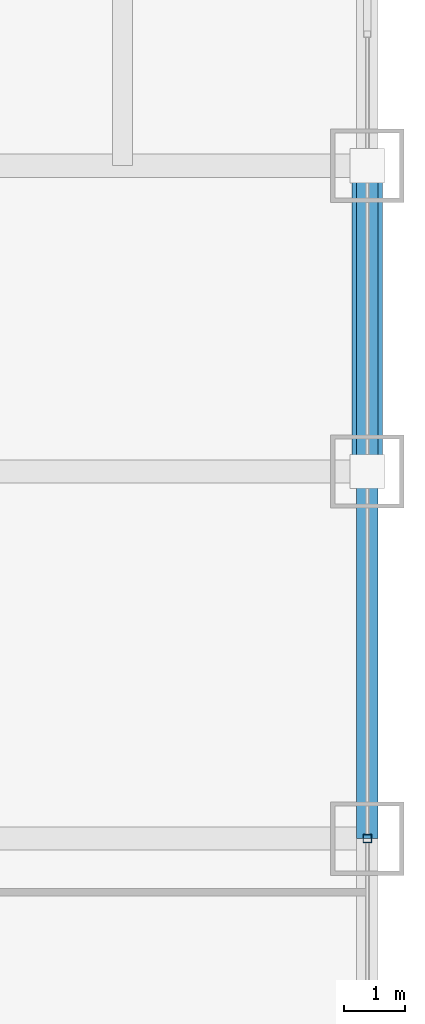
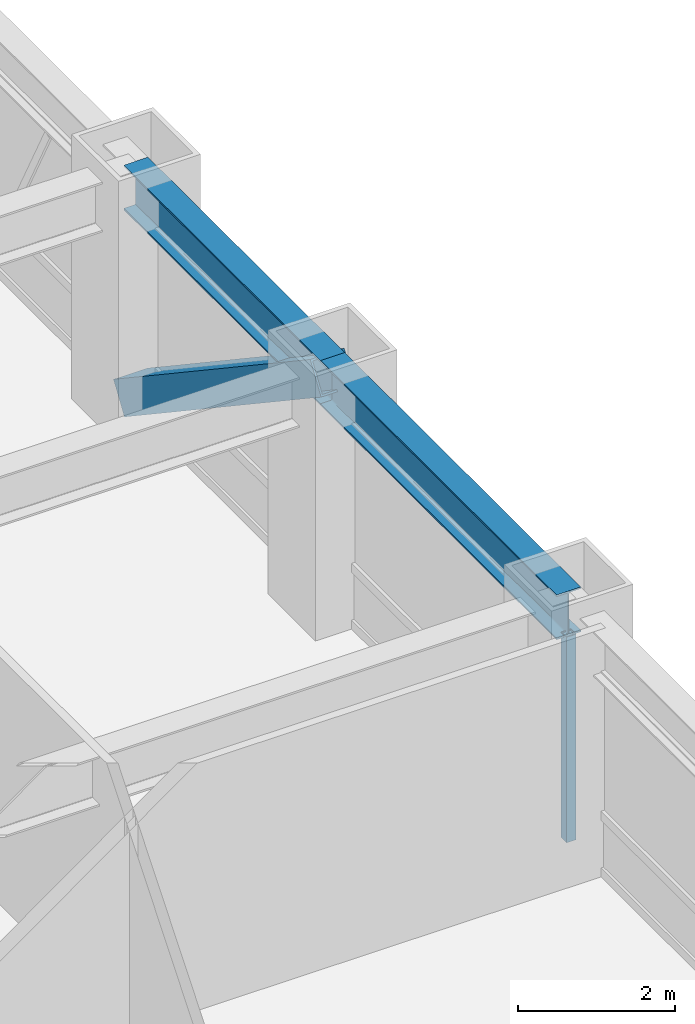
# One storey, part 14 of 28: 2 beams, 2 members, 1 element without a shape of its own.
"""IFC4 building model written with IfcOpenShell, lengths in metres."""

from ifc_helpers import new_model, si_unit, direction, frame, origin, origin_2d, place, context, subcontext, project, spatial, hollow_rectangle, i_section, extrude, source, transform, mapped, material, material_profile, profile_set, type_object, element, aggregate, save


model = new_model("IFC4")

# Units and contexts
model_context = context("Model", 3, precision=1e-05, world=origin(), true_north=direction((0.0, 1.0)))
body_context = subcontext(model_context, "Body", "Model", "MODEL_VIEW")
ifc_project = project(units=[si_unit("LENGTHUNIT", "METRE"), si_unit("AREAUNIT", "SQUARE_METRE"), si_unit("VOLUMEUNIT", "CUBIC_METRE"), si_unit("PLANEANGLEUNIT", "RADIAN"), si_unit("MASSUNIT", "GRAM", prefix="KILO")], contexts=[model_context])

# Site, building, storey
site_placement = place(None, origin())
site = spatial("IfcSite", under=ifc_project, at=site_placement, CompositionType="ELEMENT")
building_placement = place(site_placement, origin())
building = spatial("IfcBuilding", under=site, at=building_placement, Name="Khorayat Bourse Tower", CompositionType="ELEMENT")
storey_placement = place(building_placement, frame((0.0, 0.0, 116.0)))
storey = spatial("IfcBuildingStorey", under=building, at=storey_placement, Name="L26", CompositionType="ELEMENT", Elevation=116.0)

# Beams
ifc_material_1 = material(Name="Steel ASTM A992 Grade 50", Category="steel")
ifc_material_profile_1 = material_profile(ifc_material_1, i_section(OverallWidth=0.35498046875, OverallDepth=0.695068359375, WebThickness=0.015380859375, FlangeThickness=0.02490234375, FilletRadius=0.01806640625, at=origin_2d()), Name="W690X217")
ifc_profile_set_1 = profile_set([ifc_material_profile_1], Name="Steel ASTM A992 Grade 50")
beam_type = type_object("IfcBeamType", Name="BM-SPAN-690", PredefinedType="SPANDREL", material=ifc_profile_set_1)
shared_shape_1 = source(origin(), body_context, "Body", "SweptSolid", [
    extrude(i_section(OverallWidth=0.35498046875, OverallDepth=0.695068359375, WebThickness=0.015380859375, FlangeThickness=0.02490234375, FilletRadius=0.01806640625, at=origin_2d()), origin(), (0.0, 0.0, 1.0), 5.0),
])
beam_1_placement = place(storey_placement, frame((32.0, 6.0, 3.492431640625), z_axis=(0.0, 1.0, 0.0), x_axis=(-1.0, 0.0, 0.0)))
element("IfcBeam", 1, at=beam_1_placement, inside=storey, type_object=beam_type, Name="L26 BM-SPAN-690 BM-L26-SPN-039", PredefinedType="SPANDREL", context=body_context, shape_type="MappedRepresentation", body=[
    mapped(shared_shape_1, transform((0.0, 0.0, 0.0), scale=1.0)),
])
shared_shape_2 = source(origin(), body_context, "Body", "SweptSolid", [
    extrude(i_section(OverallWidth=0.35498046875, OverallDepth=0.695068359375, WebThickness=0.015380859375, FlangeThickness=0.02490234375, FilletRadius=0.01806640625, at=origin_2d()), origin(), (0.0, 0.0, 1.0), 6.0),
])
beam_2_placement = place(storey_placement, frame((32.0, 0.0, 3.492431640625), z_axis=(0.0, 1.0, 0.0), x_axis=(-1.0, 0.0, 0.0)))
element("IfcBeam", 2, at=beam_2_placement, inside=storey, type_object=beam_type, Name="L26 BM-SPAN-690 BM-L26-SPN-038", PredefinedType="SPANDREL", context=body_context, shape_type="MappedRepresentation", body=[
    mapped(shared_shape_2, transform((0.0, 0.0, 0.0), scale=1.0)),
])

# Member
ifc_material_2 = material(Name="Steel EN 10025-4 S460M", Category="steel")
ifc_material_profile_2 = material_profile(ifc_material_2, hollow_rectangle(XDim=0.5, YDim=0.5, WallThickness=0.028076171875, at=origin_2d()), Name="HSS 500x500x28")
ifc_profile_set_2 = profile_set([ifc_material_profile_2], Name="Steel EN 10025-4 S460M")
member_type_1 = type_object("IfcMemberType", Name="MBR-TUBE-500", PredefinedType="BRACE", material=ifc_profile_set_2)
shared_shape_3 = source(origin(), body_context, "Body", "SweptSolid", [
    extrude(hollow_rectangle(XDim=0.5, YDim=0.5, WallThickness=0.028076171875, at=origin_2d()), origin(), (0.0, 0.0, 1.0), 6.012939453125),
])
member_1_placement = place(storey_placement, frame((32.0, 6.0, 3.590087890625), z_axis=(0.0, 0.831531473026, -0.555477640745), x_axis=(-1.0, 0.0, 0.0)))
element("IfcMember", 3, at=member_1_placement, inside=storey, type_object=member_type_1, Name="L26 Perimeter Tube Brace 08", PredefinedType="BRACE", context=body_context, shape_type="MappedRepresentation", body=[
    mapped(shared_shape_3, transform((0.0, 0.0, 0.0), scale=1.0)),
])

# Curtain wall, member
ifc_material_3 = material(Name="Aluminium EN AW-6063 T6", Category="aluminium")
curtain_wall_type = type_object("IfcCurtainWallType", Name="CW-SYS-02", PredefinedType="NOTDEFINED", material=ifc_material_3)
curtain_wall_placement = place(storey_placement, origin())
curtain_wall = element("IfcCurtainWall", 4, at=curtain_wall_placement, inside=storey, type_object=curtain_wall_type, Name="L26 Curtain Wall CW-L26-E1", PredefinedType="NOTDEFINED")
ifc_material_profile_3 = material_profile(ifc_material_3, hollow_rectangle(XDim=0.139892578125, YDim=0.139892578125, WallThickness=0.006103515625, at=origin_2d()), Name="ALU 140x140x6")
ifc_profile_set_3 = profile_set([ifc_material_profile_3], Name="Aluminium EN AW-6063 T6")
member_type_2 = type_object("IfcMemberType", Name="CWM-VERT-140", PredefinedType="MULLION", material=ifc_profile_set_3)
shared_shape_4 = source(origin(), body_context, "Body", "SweptSolid", [
    extrude(hollow_rectangle(XDim=0.139892578125, YDim=0.139892578125, WallThickness=0.006103515625, at=origin_2d()), origin(), (0.0, 0.0, 1.0), 3.18994140625),
])
member_2_placement = place(storey_placement, frame((32.0, 0.0, 0.0), z_axis=(0.0, 0.0, 1.0), x_axis=(-1.0, 0.0, 0.0)))
member_2 = element("IfcMember", 5, at=member_2_placement, type_object=member_type_2, Name="CW-L26-E1 Vertical Mullion 2", PredefinedType="MULLION", context=body_context, shape_type="MappedRepresentation", body=[
    mapped(shared_shape_4, transform((0.0, 0.0, 0.0), scale=1.0)),
])
aggregate(curtain_wall, [member_2])

save(model, "model.ifc")
